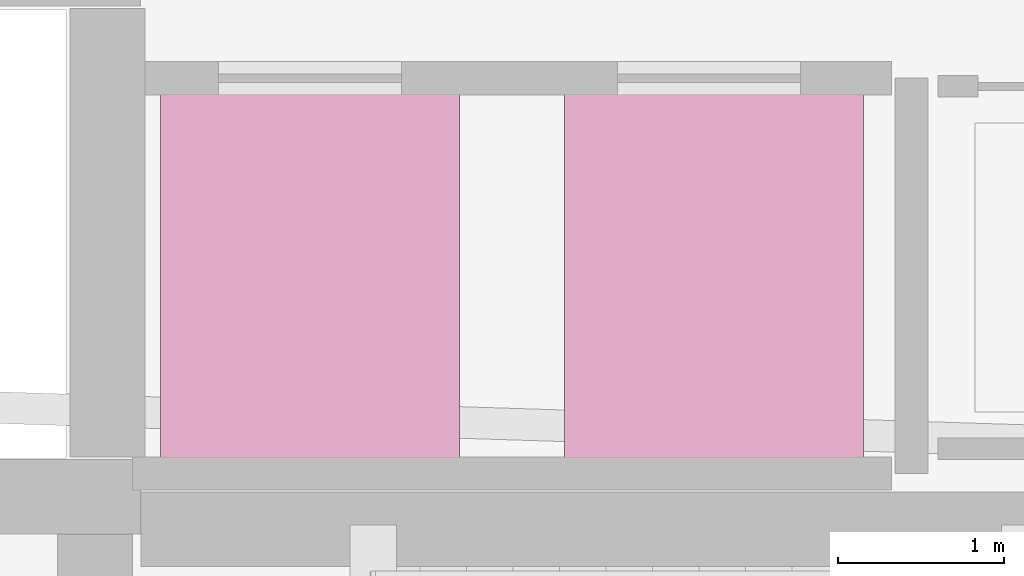
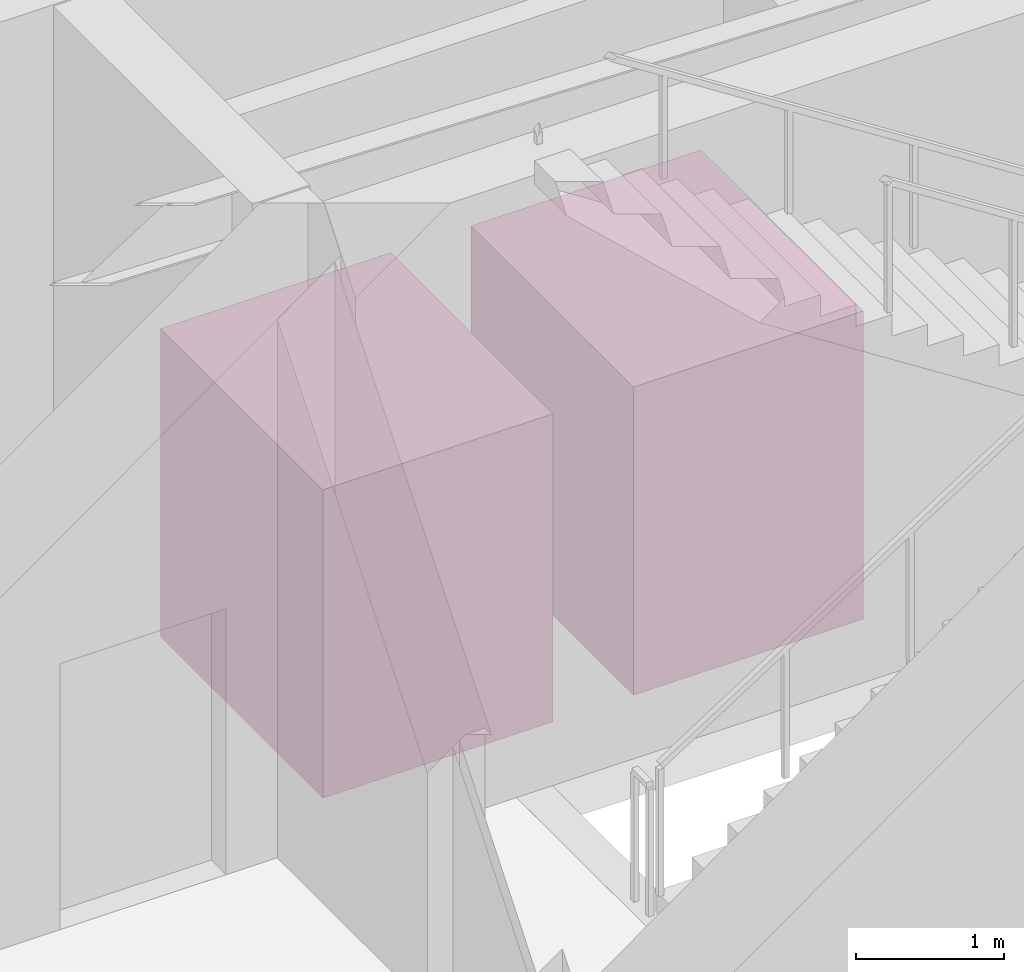
# One storey, part 28 of 28: 2 transport elements.
"""IFC4 building model written with IfcOpenShell, lengths in metres."""

from ifc_helpers import new_model, si_unit, direction, frame, origin, origin_2d, place, context, subcontext, project, spatial, rectangle, extrude, material, type_object, element, save


model = new_model("IFC4")

# Units and contexts
model_context = context("Model", 3, precision=1e-05, world=origin(), true_north=direction((0.0, 1.0)))
body_context = subcontext(model_context, "Body", "Model", "MODEL_VIEW")
ifc_project = project(units=[si_unit("LENGTHUNIT", "METRE"), si_unit("AREAUNIT", "SQUARE_METRE"), si_unit("VOLUMEUNIT", "CUBIC_METRE"), si_unit("PLANEANGLEUNIT", "RADIAN"), si_unit("MASSUNIT", "GRAM", prefix="KILO")], contexts=[model_context])

# Site, building, storey
site_placement = place(None, origin())
site = spatial("IfcSite", under=ifc_project, at=site_placement, CompositionType="ELEMENT")
building_placement = place(site_placement, origin())
building = spatial("IfcBuilding", under=site, at=building_placement, Name="Korentha Bioscience Tower", CompositionType="ELEMENT")
storey_placement = place(building_placement, origin())
storey = spatial("IfcBuildingStorey", under=building, at=storey_placement, Name="L00", CompositionType="ELEMENT", Elevation=0.0)

# Transport elements
ifc_material = material(Name="Stainless Steel Cab Assembly", Category="steel")
transport_element_type = type_object("IfcTransportElementType", Name="Observatory Panoramic Shuttle Lift 2000kg", PredefinedType="ELEVATOR", material=ifc_material)
for number, where, z_axis, x_axis, name in (
    (1, (29.8701171875, 36.949951171875, 0.0), (0.0, 0.0, 1.0), (1.0, 0.0, 0.0), "Lift PL-X1 (Passenger)"),
    (2, (32.300048828125, 36.949951171875, 0.0), (0.0, 0.0, 1.0), (1.0, 0.0, 0.0), "Lift PL-X2 (Passenger)"),
):
    element("IfcTransportElement", number, at=place(storey_placement, frame(where, z_axis=z_axis, x_axis=x_axis)), inside=storey, type_object=transport_element_type, Name=name, PredefinedType="ELEVATOR", context=body_context, shape_type="SweptSolid", body=[
        extrude(rectangle(XDim=1.800048828125, YDim=2.199951171875, at=origin_2d()), origin(), (0.0, 0.0, 1.0), 2.550048828125),
    ])

save(model, "model.ifc")
